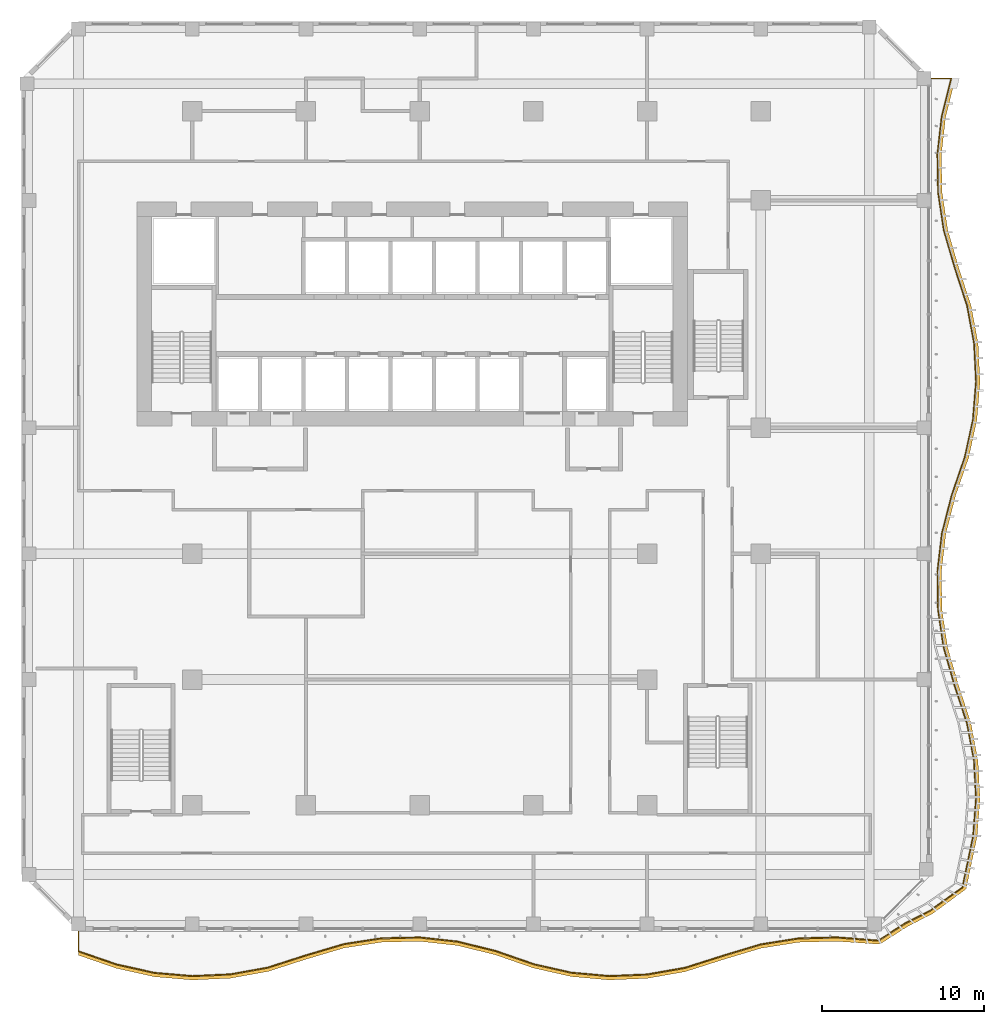
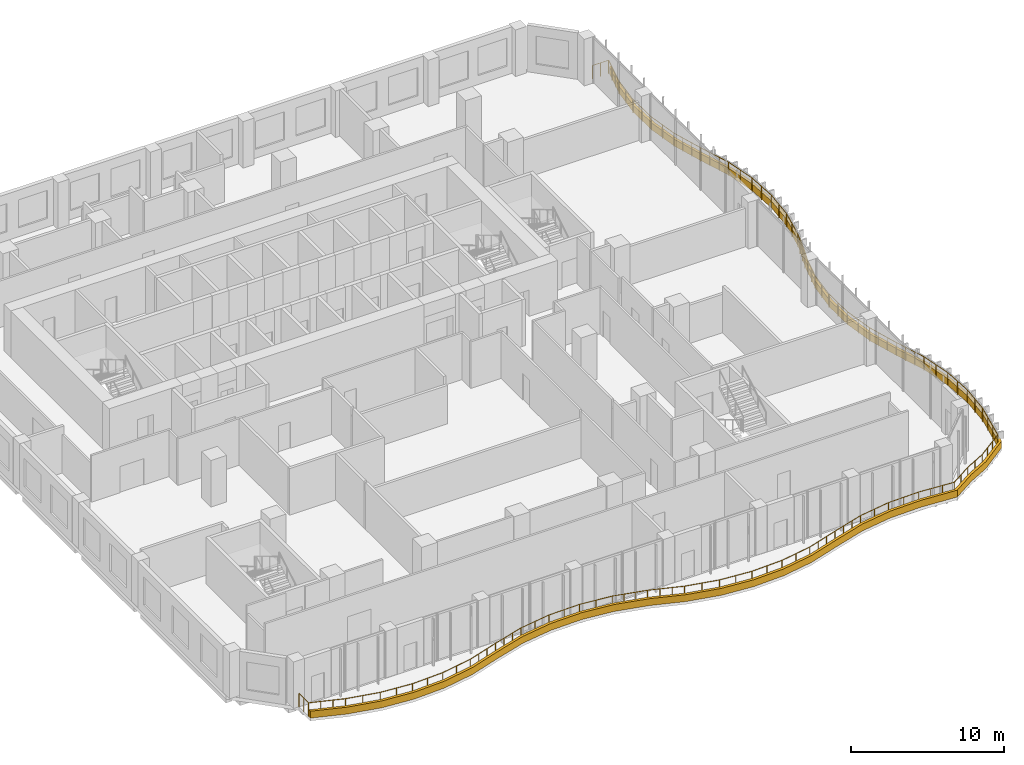
# One storey, part 20 of 26: 1 railing, 1 shading device.
"""IFC4 building model written with IfcOpenShell, lengths in metres."""

from ifc_helpers import new_model, si_unit, direction, frame, origin, origin_2d, place, context, subcontext, project, spatial, polyline, circle, outline, extrude, source, transform, mapped, material, layer, layer_set, type_object, element, save


model = new_model("IFC4")

# Units and contexts
model_context = context("Model", 3, precision=1e-05, world=origin(), true_north=direction((0.0, 1.0)))
body_context = subcontext(model_context, "Body", "Model", "MODEL_VIEW")
ifc_project = project(units=[si_unit("LENGTHUNIT", "METRE"), si_unit("AREAUNIT", "SQUARE_METRE"), si_unit("VOLUMEUNIT", "CUBIC_METRE"), si_unit("PLANEANGLEUNIT", "RADIAN"), si_unit("MASSUNIT", "GRAM", prefix="KILO")], contexts=[model_context])

# Site, building, storey
site_placement = place(None, origin())
site = spatial("IfcSite", under=ifc_project, at=site_placement, CompositionType="ELEMENT")
building_placement = place(site_placement, origin())
building = spatial("IfcBuilding", under=site, at=building_placement, Name="Kilnfold Tower and Market Hall", CompositionType="ELEMENT")
storey_placement = place(building_placement, frame((0.0, 0.0, 104.60009765625)))
storey = spatial("IfcBuildingStorey", under=building, at=storey_placement, Name="L24", CompositionType="ELEMENT", Elevation=104.60009765625)

# Railing
ifc_material_1 = material(Name="Stainless steel and laminated glass", Category="steel")
railing_type = type_object("IfcRailingType", Name="GUARD 1100", PredefinedType="GUARDRAIL", material=ifc_material_1)
railing_placement = place(storey_placement, frame((-19.5, -23.0, 0.0)))
element("IfcRailing", 1, at=railing_placement, inside=storey, type_object=railing_type, Name="Guard balcony L24", PredefinedType="GUARDRAIL", context=body_context, shape_type="SweptSolid", body=[
    extrude(circle(Radius=0.02490234375, at=origin_2d()), frame((0.0, 0.0, 1.0751953125), z_axis=(0.0, -1.0, 0.0), x_axis=(1.0, 0.0, 0.0)), (0.0, 0.0, 1.0), 1.223388671875),
    extrude(circle(Radius=0.02490234375, at=origin_2d()), frame((0.0, -1.223388671875, 1.0751953125), z_axis=(0.945175220701, -0.326563626531, 0.0), x_axis=(0.326563626531, 0.945175220701, 0.0)), (0.0, 0.0, 1.0), 2.468505859375),
    extrude(circle(Radius=0.02490234375, at=origin_2d()), frame((2.333251953125, -2.029541015625, 1.0751953125), z_axis=(0.976316671671, -0.216346381105, 0.0), x_axis=(0.216346381105, 0.976316671671, 0.0)), (0.0, 0.0, 1.0), 2.39013671875),
    extrude(circle(Radius=0.02490234375, at=origin_2d()), frame((4.666748046875, -2.546630859375, 1.0751953125), z_axis=(0.996348169595, -0.085383399696, 0.0), x_axis=(0.085383399696, 0.996348169595, 0.0)), (0.0, 0.0, 1.0), 2.341796875),
    extrude(circle(Radius=0.02490234375, at=origin_2d()), frame((7.0, -2.74658203125, 1.0751953125), z_axis=(0.998956219138, 0.045677918569, 0.0), x_axis=(-0.045677918569, 0.998956219138, 0.0)), (0.0, 0.0, 1.0), 2.335693359375),
    extrude(circle(Radius=0.02490234375, at=origin_2d()), frame((9.333251953125, -2.639892578125, 1.0751953125), z_axis=(0.984280847585, 0.176610342499, 0.0), x_axis=(-0.176610342499, 0.984280847585, 0.0)), (0.0, 0.0, 1.0), 2.370849609375),
    extrude(circle(Radius=0.02490234375, at=origin_2d()), frame((11.666748046875, -2.22119140625, 1.0751953125), z_axis=(0.951822133239, 0.306650659019, 0.0), x_axis=(-0.306650659019, 0.951822133239, 0.0)), (0.0, 0.0, 1.0), 2.451416015625),
    extrude(circle(Radius=0.02490234375, at=origin_2d()), frame((14.0, -1.469482421875, 1.0751953125), z_axis=(0.958871969093, 0.283838945335, 0.0), x_axis=(-0.283838945335, 0.958871969093, 0.0)), (0.0, 0.0, 1.0), 2.433349609375),
    extrude(circle(Radius=0.02490234375, at=origin_2d()), frame((16.333251953125, -0.77880859375, 1.0751953125), z_axis=(0.988254262628, 0.152818560385, 0.0), x_axis=(-0.152818560385, 0.988254262628, 0.0)), (0.0, 0.0, 1.0), 2.361328125),
    extrude(circle(Radius=0.02490234375, at=origin_2d()), frame((18.666748046875, -0.41796875, 1.0751953125), z_axis=(0.999760963806, 0.021863559845, 0.0), x_axis=(-0.021863559845, 0.999760963806, 0.0)), (0.0, 0.0, 1.0), 2.333740234375),
    extrude(circle(Radius=0.02490234375, at=origin_2d()), frame((21.0, -0.366943359375, 1.0751953125), z_axis=(0.994018703781, -0.109209965363, 0.0), x_axis=(0.109209965363, 0.994018703781, 0.0)), (0.0, 0.0, 1.0), 2.347412109375),
    extrude(circle(Radius=0.02490234375, at=origin_2d()), frame((23.333251953125, -0.623291015625, 1.0751953125), z_axis=(0.970748821988, -0.240097323203, 0.0), x_axis=(0.240097323203, 0.970748821988, 0.0)), (0.0, 0.0, 1.0), 2.40380859375),
    extrude(circle(Radius=0.02490234375, at=origin_2d()), frame((25.666748046875, -1.200439453125, 1.0751953125), z_axis=(0.944930811153, -0.327270166885, 0.0), x_axis=(0.327270166885, 0.944930811153, 0.0)), (0.0, 0.0, 1.0), 2.46923828125),
    extrude(circle(Radius=0.02490234375, at=origin_2d()), frame((28.0, -2.008544921875, 1.0751953125), z_axis=(0.97541977644, -0.220354849569, 0.0), x_axis=(0.220354849569, 0.97541977644, 0.0)), (0.0, 0.0, 1.0), 2.39208984375),
    extrude(circle(Radius=0.02490234375, at=origin_2d()), frame((30.333251953125, -2.53564453125, 1.0751953125), z_axis=(0.995995065354, -0.089408219928, 0.0), x_axis=(0.089408219928, 0.995995065354, 0.0)), (0.0, 0.0, 1.0), 2.3427734375),
    extrude(circle(Radius=0.02490234375, at=origin_2d()), frame((32.666748046875, -2.7451171875, 1.0751953125), z_axis=(0.999129627144, 0.041713165348, 0.0), x_axis=(-0.041713165348, 0.999129627144, 0.0)), (0.0, 0.0, 1.0), 2.335205078125),
    extrude(circle(Radius=0.02490234375, at=origin_2d()), frame((35.0, -2.647705078125, 1.0751953125), z_axis=(0.984968716558, 0.172732820859, 0.0), x_axis=(-0.172732820859, 0.984968716558, 0.0)), (0.0, 0.0, 1.0), 2.368896484375),
    extrude(circle(Radius=0.02490234375, at=origin_2d()), frame((37.333251953125, -2.238525390625, 1.0751953125), z_axis=(0.952931017386, 0.303187196471, 0.0), x_axis=(-0.303187196471, 0.952931017386, 0.0)), (0.0, 0.0, 1.0), 2.44873046875),
    extrude(circle(Radius=0.02490234375, at=origin_2d()), frame((39.666748046875, -1.49609375, 1.0751953125), z_axis=(0.957663412718, 0.287890235925, 0.0), x_axis=(-0.287890235925, 0.957663412718, 0.0)), (0.0, 0.0, 1.0), 2.436279296875),
    extrude(circle(Radius=0.02490234375, at=origin_2d()), frame((42.0, -0.794677734375, 1.0751953125), z_axis=(0.98763527449, 0.15676914423, 0.0), x_axis=(-0.15676914423, 0.98763527449, 0.0)), (0.0, 0.0, 1.0), 2.362548828125),
    extrude(circle(Radius=0.02490234375, at=origin_2d()), frame((44.333251953125, -0.42431640625, 1.0751953125), z_axis=(0.999666256818, 0.02583360174, 0.0), x_axis=(-0.02583360174, 0.999666256818, 0.0)), (0.0, 0.0, 1.0), 2.334228515625),
    extrude(circle(Radius=0.02490234375, at=origin_2d()), frame((46.666748046875, -0.364013671875, 1.0751953125), z_axis=(0.996972486943, -0.077755130235, 0.0), x_axis=(0.077755130235, 0.996972486943, 0.0)), (0.0, 0.0, 1.0), 2.57470703125),
    extrude(circle(Radius=0.02490234375, at=origin_2d()), frame((49.233642578125, -0.564208984375, 1.0751953125), z_axis=(0.842172517218, 0.5392081706, 0.0), x_axis=(-0.5392081706, 0.842172517218, 0.0)), (0.0, 0.0, 1.0), 1.928466796875),
    extrude(circle(Radius=0.02490234375, at=origin_2d()), frame((50.857666015625, 0.4755859375, 1.0751953125), z_axis=(0.891167253243, 0.453674913067, 0.0), x_axis=(-0.453674913067, 0.891167253243, 0.0)), (0.0, 0.0, 1.0), 1.73486328125),
    extrude(circle(Radius=0.02490234375, at=origin_2d()), frame((52.40380859375, 1.2626953125, 1.0751953125), z_axis=(0.811775672463, 0.583969397826, 0.0), x_axis=(-0.583969397826, 0.811775672463, 0.0)), (0.0, 0.0, 1.0), 2.474609375),
    extrude(circle(Radius=0.02490234375, at=origin_2d()), frame((54.41259765625, 2.707763671875, 1.0751953125), z_axis=(0.205120350133, 0.978736758256, 0.0), x_axis=(-0.978736758256, 0.205120350133, 0.0)), (0.0, 0.0, 1.0), 3.193359375),
    extrude(circle(Radius=0.02490234375, at=origin_2d()), frame((55.067626953125, 5.833251953125, 1.0751953125), z_axis=(0.077398428524, 0.997000242358, 0.0), x_axis=(-0.997000242358, 0.077398428524, 0.0)), (0.0, 0.0, 1.0), 2.340576171875),
    extrude(circle(Radius=0.02490234375, at=origin_2d()), frame((55.248779296875, 8.166748046875, 1.0751953125), z_axis=(-0.053600767457, 0.998562445583, 0.0), x_axis=(-0.998562445583, -0.053600767457, 0.0)), (0.0, 0.0, 1.0), 2.336669921875),
    extrude(circle(Radius=0.02490234375, at=origin_2d()), frame((55.12353515625, 10.5, 1.0751953125), z_axis=(-0.184592769099, 0.982815094306, 0.0), x_axis=(-0.982815094306, -0.184592769099, 0.0)), (0.0, 0.0, 1.0), 2.3740234375),
    extrude(circle(Radius=0.02490234375, at=origin_2d()), frame((54.685302734375, 12.833251953125, 1.0751953125), z_axis=(-0.312558186473, 0.949898615679, 0.0), x_axis=(-0.949898615679, -0.312558186473, 0.0)), (0.0, 0.0, 1.0), 2.45654296875),
    extrude(circle(Radius=0.02490234375, at=origin_2d()), frame((53.91748046875, 15.166748046875, 1.0751953125), z_axis=(-0.275876590491, 0.96119306428, 0.0), x_axis=(-0.96119306428, -0.275876590491, 0.0)), (0.0, 0.0, 1.0), 2.427490234375),
    extrude(circle(Radius=0.02490234375, at=origin_2d()), frame((53.247802734375, 17.5, 1.0751953125), z_axis=(-0.144942565493, 0.989440070297, 0.0), x_axis=(-0.989440070297, -0.144942565493, 0.0)), (0.0, 0.0, 1.0), 2.358154296875),
    extrude(circle(Radius=0.02490234375, at=origin_2d()), frame((52.906005859375, 19.833251953125, 1.0751953125), z_axis=(-0.013809103763, 0.999904649781, 0.0), x_axis=(-0.999904649781, -0.013809103763, 0.0)), (0.0, 0.0, 1.0), 2.333740234375),
    extrude(circle(Radius=0.02490234375, at=origin_2d()), frame((52.873779296875, 22.166748046875, 1.0751953125), z_axis=(0.117010065984, 0.993130728786, 0.0), x_axis=(-0.993130728786, 0.117010065984, 0.0)), (0.0, 0.0, 1.0), 2.349365234375),
    extrude(circle(Radius=0.02490234375, at=origin_2d()), frame((53.148681640625, 24.5, 1.0751953125), z_axis=(0.248231467122, 0.96870074777, 0.0), x_axis=(-0.96870074777, 0.248231467122, 0.0)), (0.0, 0.0, 1.0), 2.40869140625),
    extrude(circle(Radius=0.02490234375, at=origin_2d()), frame((53.74658203125, 26.833251953125, 1.0751953125), z_axis=(0.325560785009, 0.945521113072, 0.0), x_axis=(-0.945521113072, 0.325560785009, 0.0)), (0.0, 0.0, 1.0), 2.468017578125),
    extrude(circle(Radius=0.02490234375, at=origin_2d()), frame((54.550048828125, 29.166748046875, 1.0751953125), z_axis=(0.212467848118, 0.97716805797, 0.0), x_axis=(-0.97716805797, 0.212467848118, 0.0)), (0.0, 0.0, 1.0), 2.3876953125),
    extrude(circle(Radius=0.02490234375, at=origin_2d()), frame((55.057373046875, 31.5, 1.0751953125), z_axis=(0.081345095449, 0.996685996413, 0.0), x_axis=(-0.996685996413, 0.081345095449, 0.0)), (0.0, 0.0, 1.0), 2.341064453125),
    extrude(circle(Radius=0.02490234375, at=origin_2d()), frame((55.247802734375, 33.833251953125, 1.0751953125), z_axis=(-0.049635333586, 0.998767407187, 0.0), x_axis=(-0.998767407187, -0.049635333586, 0.0)), (0.0, 0.0, 1.0), 2.33642578125),
    extrude(circle(Radius=0.02490234375, at=origin_2d()), frame((55.1318359375, 36.166748046875, 1.0751953125), z_axis=(-0.180614948652, 0.983553882776, 0.0), x_axis=(-0.983553882776, -0.180614948652, 0.0)), (0.0, 0.0, 1.0), 2.372314453125),
    extrude(circle(Radius=0.02490234375, at=origin_2d()), frame((54.703369140625, 38.5, 1.0751953125), z_axis=(-0.309713655114, 0.950829875338, 0.0), x_axis=(-0.950829875338, -0.309713655114, 0.0)), (0.0, 0.0, 1.0), 2.453857421875),
    extrude(circle(Radius=0.02490234375, at=origin_2d()), frame((53.943359375, 40.833251953125, 1.0751953125), z_axis=(-0.279837999342, 0.960047235361, 0.0), x_axis=(-0.960047235361, -0.279837999342, 0.0)), (0.0, 0.0, 1.0), 2.4306640625),
    extrude(circle(Radius=0.02490234375, at=origin_2d()), frame((53.26318359375, 43.166748046875, 1.0751953125), z_axis=(-0.148891927358, 0.988853474468, 0.0), x_axis=(-0.988853474468, -0.148891927358, 0.0)), (0.0, 0.0, 1.0), 2.359619140625),
    extrude(circle(Radius=0.02490234375, at=origin_2d()), frame((52.911865234375, 45.5, 1.0751953125), z_axis=(-0.017889780687, 0.999839965068, 0.0), x_axis=(-0.999839965068, -0.017889780687, 0.0)), (0.0, 0.0, 1.0), 2.333740234375),
    extrude(circle(Radius=0.02490234375, at=origin_2d()), frame((52.8701171875, 47.833251953125, 1.0751953125), z_axis=(0.113203568407, 0.993571815271, 0.0), x_axis=(-0.993571815271, 0.113203568407, 0.0)), (0.0, 0.0, 1.0), 2.3486328125),
    extrude(circle(Radius=0.02490234375, at=origin_2d()), frame((53.135986328125, 50.166748046875, 1.0751953125), z_axis=(0.244134927646, 0.96974127328, 0.0), x_axis=(-0.96974127328, 0.244134927646, 0.0)), (0.0, 0.0, 1.0), 2.406005859375),
    extrude(circle(Radius=0.02490234375, at=origin_2d()), frame((53.723388671875, 52.5, 1.0751953125), z_axis=(-1.0, 0.0, 0.0), x_axis=(0.0, -1.0, 0.0)), (0.0, 0.0, 1.0), 1.223388671875),
    extrude(circle(Radius=0.02490234375, at=origin_2d()), origin(), (0.0, 0.0, 1.0), 1.050048828125),
    extrude(circle(Radius=0.02490234375, at=origin_2d()), frame((0.0, -0.61181640625, 0.0)), (0.0, 0.0, 1.0), 1.050048828125),
    extrude(circle(Radius=0.02490234375, at=origin_2d()), frame((0.0, -1.223388671875, 0.0)), (0.0, 0.0, 1.0), 1.050048828125),
    extrude(circle(Radius=0.02490234375, at=origin_2d()), frame((0.77783203125, -1.4921875, 0.0)), (0.0, 0.0, 1.0), 1.050048828125),
    extrude(circle(Radius=0.02490234375, at=origin_2d()), frame((1.555419921875, -1.7607421875, 0.0)), (0.0, 0.0, 1.0), 1.050048828125),
    extrude(circle(Radius=0.02490234375, at=origin_2d()), frame((2.333251953125, -2.029541015625, 0.0)), (0.0, 0.0, 1.0), 1.050048828125),
    extrude(circle(Radius=0.02490234375, at=origin_2d()), frame((3.5, -2.2880859375, 0.0)), (0.0, 0.0, 1.0), 1.050048828125),
    extrude(circle(Radius=0.02490234375, at=origin_2d()), frame((4.666748046875, -2.546630859375, 0.0)), (0.0, 0.0, 1.0), 1.050048828125),
    extrude(circle(Radius=0.02490234375, at=origin_2d()), frame((5.83349609375, -2.646484375, 0.0)), (0.0, 0.0, 1.0), 1.050048828125),
    extrude(circle(Radius=0.02490234375, at=origin_2d()), frame((7.0, -2.74658203125, 0.0)), (0.0, 0.0, 1.0), 1.050048828125),
    extrude(circle(Radius=0.02490234375, at=origin_2d()), frame((8.16650390625, -2.693359375, 0.0)), (0.0, 0.0, 1.0), 1.050048828125),
    extrude(circle(Radius=0.02490234375, at=origin_2d()), frame((9.333251953125, -2.639892578125, 0.0)), (0.0, 0.0, 1.0), 1.050048828125),
    extrude(circle(Radius=0.02490234375, at=origin_2d()), frame((10.5, -2.4306640625, 0.0)), (0.0, 0.0, 1.0), 1.050048828125),
    extrude(circle(Radius=0.02490234375, at=origin_2d()), frame((11.666748046875, -2.22119140625, 0.0)), (0.0, 0.0, 1.0), 1.050048828125),
    extrude(circle(Radius=0.02490234375, at=origin_2d()), frame((12.444580078125, -1.970703125, 0.0)), (0.0, 0.0, 1.0), 1.050048828125),
    extrude(circle(Radius=0.02490234375, at=origin_2d()), frame((13.22216796875, -1.719970703125, 0.0)), (0.0, 0.0, 1.0), 1.050048828125),
    extrude(circle(Radius=0.02490234375, at=origin_2d()), frame((14.0, -1.469482421875, 0.0)), (0.0, 0.0, 1.0), 1.050048828125),
    extrude(circle(Radius=0.02490234375, at=origin_2d()), frame((14.77783203125, -1.2392578125, 0.0)), (0.0, 0.0, 1.0), 1.050048828125),
    extrude(circle(Radius=0.02490234375, at=origin_2d()), frame((15.555419921875, -1.009033203125, 0.0)), (0.0, 0.0, 1.0), 1.050048828125),
    extrude(circle(Radius=0.02490234375, at=origin_2d()), frame((16.333251953125, -0.77880859375, 0.0)), (0.0, 0.0, 1.0), 1.050048828125),
    extrude(circle(Radius=0.02490234375, at=origin_2d()), frame((17.5, -0.598388671875, 0.0)), (0.0, 0.0, 1.0), 1.050048828125),
    extrude(circle(Radius=0.02490234375, at=origin_2d()), frame((18.666748046875, -0.41796875, 0.0)), (0.0, 0.0, 1.0), 1.050048828125),
    extrude(circle(Radius=0.02490234375, at=origin_2d()), frame((19.83349609375, -0.392578125, 0.0)), (0.0, 0.0, 1.0), 1.050048828125),
    extrude(circle(Radius=0.02490234375, at=origin_2d()), frame((21.0, -0.366943359375, 0.0)), (0.0, 0.0, 1.0), 1.050048828125),
    extrude(circle(Radius=0.02490234375, at=origin_2d()), frame((22.16650390625, -0.4951171875, 0.0)), (0.0, 0.0, 1.0), 1.050048828125),
    extrude(circle(Radius=0.02490234375, at=origin_2d()), frame((23.333251953125, -0.623291015625, 0.0)), (0.0, 0.0, 1.0), 1.050048828125),
    extrude(circle(Radius=0.02490234375, at=origin_2d()), frame((24.111083984375, -0.815673828125, 0.0)), (0.0, 0.0, 1.0), 1.050048828125),
    extrude(circle(Radius=0.02490234375, at=origin_2d()), frame((24.888916015625, -1.008056640625, 0.0)), (0.0, 0.0, 1.0), 1.050048828125),
    extrude(circle(Radius=0.02490234375, at=origin_2d()), frame((25.666748046875, -1.200439453125, 0.0)), (0.0, 0.0, 1.0), 1.050048828125),
    extrude(circle(Radius=0.02490234375, at=origin_2d()), frame((26.444580078125, -1.4697265625, 0.0)), (0.0, 0.0, 1.0), 1.050048828125),
    extrude(circle(Radius=0.02490234375, at=origin_2d()), frame((27.22216796875, -1.7392578125, 0.0)), (0.0, 0.0, 1.0), 1.050048828125),
    extrude(circle(Radius=0.02490234375, at=origin_2d()), frame((28.0, -2.008544921875, 0.0)), (0.0, 0.0, 1.0), 1.050048828125),
    extrude(circle(Radius=0.02490234375, at=origin_2d()), frame((29.16650390625, -2.27197265625, 0.0)), (0.0, 0.0, 1.0), 1.050048828125),
    extrude(circle(Radius=0.02490234375, at=origin_2d()), frame((30.333251953125, -2.53564453125, 0.0)), (0.0, 0.0, 1.0), 1.050048828125),
    extrude(circle(Radius=0.02490234375, at=origin_2d()), frame((31.5, -2.640380859375, 0.0)), (0.0, 0.0, 1.0), 1.050048828125),
    extrude(circle(Radius=0.02490234375, at=origin_2d()), frame((32.666748046875, -2.7451171875, 0.0)), (0.0, 0.0, 1.0), 1.050048828125),
    extrude(circle(Radius=0.02490234375, at=origin_2d()), frame((33.83349609375, -2.6962890625, 0.0)), (0.0, 0.0, 1.0), 1.050048828125),
    extrude(circle(Radius=0.02490234375, at=origin_2d()), frame((35.0, -2.647705078125, 0.0)), (0.0, 0.0, 1.0), 1.050048828125),
    extrude(circle(Radius=0.02490234375, at=origin_2d()), frame((36.16650390625, -2.443115234375, 0.0)), (0.0, 0.0, 1.0), 1.050048828125),
    extrude(circle(Radius=0.02490234375, at=origin_2d()), frame((37.333251953125, -2.238525390625, 0.0)), (0.0, 0.0, 1.0), 1.050048828125),
    extrude(circle(Radius=0.02490234375, at=origin_2d()), frame((38.111083984375, -1.990966796875, 0.0)), (0.0, 0.0, 1.0), 1.050048828125),
    extrude(circle(Radius=0.02490234375, at=origin_2d()), frame((38.888916015625, -1.74365234375, 0.0)), (0.0, 0.0, 1.0), 1.050048828125),
    extrude(circle(Radius=0.02490234375, at=origin_2d()), frame((39.666748046875, -1.49609375, 0.0)), (0.0, 0.0, 1.0), 1.050048828125),
    extrude(circle(Radius=0.02490234375, at=origin_2d()), frame((40.444580078125, -1.26220703125, 0.0)), (0.0, 0.0, 1.0), 1.050048828125),
    extrude(circle(Radius=0.02490234375, at=origin_2d()), frame((41.22216796875, -1.028564453125, 0.0)), (0.0, 0.0, 1.0), 1.050048828125),
    extrude(circle(Radius=0.02490234375, at=origin_2d()), frame((42.0, -0.794677734375, 0.0)), (0.0, 0.0, 1.0), 1.050048828125),
    extrude(circle(Radius=0.02490234375, at=origin_2d()), frame((43.16650390625, -0.609375, 0.0)), (0.0, 0.0, 1.0), 1.050048828125),
    extrude(circle(Radius=0.02490234375, at=origin_2d()), frame((44.333251953125, -0.42431640625, 0.0)), (0.0, 0.0, 1.0), 1.050048828125),
    extrude(circle(Radius=0.02490234375, at=origin_2d()), frame((45.5, -0.39404296875, 0.0)), (0.0, 0.0, 1.0), 1.050048828125),
    extrude(circle(Radius=0.02490234375, at=origin_2d()), frame((46.666748046875, -0.364013671875, 0.0)), (0.0, 0.0, 1.0), 1.050048828125),
    extrude(circle(Radius=0.02490234375, at=origin_2d()), frame((47.5224609375, -0.4306640625, 0.0)), (0.0, 0.0, 1.0), 1.050048828125),
    extrude(circle(Radius=0.02490234375, at=origin_2d()), frame((48.3779296875, -0.49755859375, 0.0)), (0.0, 0.0, 1.0), 1.050048828125),
    extrude(circle(Radius=0.02490234375, at=origin_2d()), frame((49.233642578125, -0.564208984375, 0.0)), (0.0, 0.0, 1.0), 1.050048828125),
    extrude(circle(Radius=0.02490234375, at=origin_2d()), frame((50.045654296875, -0.04443359375, 0.0)), (0.0, 0.0, 1.0), 1.050048828125),
    extrude(circle(Radius=0.02490234375, at=origin_2d()), frame((50.857666015625, 0.4755859375, 0.0)), (0.0, 0.0, 1.0), 1.050048828125),
    extrude(circle(Radius=0.02490234375, at=origin_2d()), frame((51.630859375, 0.869140625, 0.0)), (0.0, 0.0, 1.0), 1.050048828125),
    extrude(circle(Radius=0.02490234375, at=origin_2d()), frame((52.40380859375, 1.2626953125, 0.0)), (0.0, 0.0, 1.0), 1.050048828125),
    extrude(circle(Radius=0.02490234375, at=origin_2d()), frame((53.073486328125, 1.744384765625, 0.0)), (0.0, 0.0, 1.0), 1.050048828125),
    extrude(circle(Radius=0.02490234375, at=origin_2d()), frame((53.742919921875, 2.22607421875, 0.0)), (0.0, 0.0, 1.0), 1.050048828125),
    extrude(circle(Radius=0.02490234375, at=origin_2d()), frame((54.41259765625, 2.707763671875, 0.0)), (0.0, 0.0, 1.0), 1.050048828125),
    extrude(circle(Radius=0.02490234375, at=origin_2d()), frame((54.630859375, 3.74951171875, 0.0)), (0.0, 0.0, 1.0), 1.050048828125),
    extrude(circle(Radius=0.02490234375, at=origin_2d()), frame((54.849365234375, 4.79150390625, 0.0)), (0.0, 0.0, 1.0), 1.050048828125),
    extrude(circle(Radius=0.02490234375, at=origin_2d()), frame((55.067626953125, 5.833251953125, 0.0)), (0.0, 0.0, 1.0), 1.050048828125),
    extrude(circle(Radius=0.02490234375, at=origin_2d()), frame((55.158203125, 7.0, 0.0)), (0.0, 0.0, 1.0), 1.050048828125),
    extrude(circle(Radius=0.02490234375, at=origin_2d()), frame((55.248779296875, 8.166748046875, 0.0)), (0.0, 0.0, 1.0), 1.050048828125),
    extrude(circle(Radius=0.02490234375, at=origin_2d()), frame((55.18603515625, 9.33349609375, 0.0)), (0.0, 0.0, 1.0), 1.050048828125),
    extrude(circle(Radius=0.02490234375, at=origin_2d()), frame((55.12353515625, 10.5, 0.0)), (0.0, 0.0, 1.0), 1.050048828125),
    extrude(circle(Radius=0.02490234375, at=origin_2d()), frame((54.904296875, 11.66650390625, 0.0)), (0.0, 0.0, 1.0), 1.050048828125),
    extrude(circle(Radius=0.02490234375, at=origin_2d()), frame((54.685302734375, 12.833251953125, 0.0)), (0.0, 0.0, 1.0), 1.050048828125),
    extrude(circle(Radius=0.02490234375, at=origin_2d()), frame((54.429443359375, 13.611083984375, 0.0)), (0.0, 0.0, 1.0), 1.050048828125),
    extrude(circle(Radius=0.02490234375, at=origin_2d()), frame((54.17333984375, 14.388916015625, 0.0)), (0.0, 0.0, 1.0), 1.050048828125),
    extrude(circle(Radius=0.02490234375, at=origin_2d()), frame((53.91748046875, 15.166748046875, 0.0)), (0.0, 0.0, 1.0), 1.050048828125),
    extrude(circle(Radius=0.02490234375, at=origin_2d()), frame((53.6943359375, 15.944580078125, 0.0)), (0.0, 0.0, 1.0), 1.050048828125),
    extrude(circle(Radius=0.02490234375, at=origin_2d()), frame((53.470947265625, 16.72216796875, 0.0)), (0.0, 0.0, 1.0), 1.050048828125),
    extrude(circle(Radius=0.02490234375, at=origin_2d()), frame((53.247802734375, 17.5, 0.0)), (0.0, 0.0, 1.0), 1.050048828125),
    extrude(circle(Radius=0.02490234375, at=origin_2d()), frame((53.076904296875, 18.66650390625, 0.0)), (0.0, 0.0, 1.0), 1.050048828125),
    extrude(circle(Radius=0.02490234375, at=origin_2d()), frame((52.906005859375, 19.833251953125, 0.0)), (0.0, 0.0, 1.0), 1.050048828125),
    extrude(circle(Radius=0.02490234375, at=origin_2d()), frame((52.889892578125, 21.0, 0.0)), (0.0, 0.0, 1.0), 1.050048828125),
    extrude(circle(Radius=0.02490234375, at=origin_2d()), frame((52.873779296875, 22.166748046875, 0.0)), (0.0, 0.0, 1.0), 1.050048828125),
    extrude(circle(Radius=0.02490234375, at=origin_2d()), frame((53.01123046875, 23.33349609375, 0.0)), (0.0, 0.0, 1.0), 1.050048828125),
    extrude(circle(Radius=0.02490234375, at=origin_2d()), frame((53.148681640625, 24.5, 0.0)), (0.0, 0.0, 1.0), 1.050048828125),
    extrude(circle(Radius=0.02490234375, at=origin_2d()), frame((53.347900390625, 25.27783203125, 0.0)), (0.0, 0.0, 1.0), 1.050048828125),
    extrude(circle(Radius=0.02490234375, at=origin_2d()), frame((53.54736328125, 26.055419921875, 0.0)), (0.0, 0.0, 1.0), 1.050048828125),
    extrude(circle(Radius=0.02490234375, at=origin_2d()), frame((53.74658203125, 26.833251953125, 0.0)), (0.0, 0.0, 1.0), 1.050048828125),
    extrude(circle(Radius=0.02490234375, at=origin_2d()), frame((54.014404296875, 27.611083984375, 0.0)), (0.0, 0.0, 1.0), 1.050048828125),
    extrude(circle(Radius=0.02490234375, at=origin_2d()), frame((54.2822265625, 28.388916015625, 0.0)), (0.0, 0.0, 1.0), 1.050048828125),
    extrude(circle(Radius=0.02490234375, at=origin_2d()), frame((54.550048828125, 29.166748046875, 0.0)), (0.0, 0.0, 1.0), 1.050048828125),
    extrude(circle(Radius=0.02490234375, at=origin_2d()), frame((54.8037109375, 30.33349609375, 0.0)), (0.0, 0.0, 1.0), 1.050048828125),
    extrude(circle(Radius=0.02490234375, at=origin_2d()), frame((55.057373046875, 31.5, 0.0)), (0.0, 0.0, 1.0), 1.050048828125),
    extrude(circle(Radius=0.02490234375, at=origin_2d()), frame((55.152587890625, 32.66650390625, 0.0)), (0.0, 0.0, 1.0), 1.050048828125),
    extrude(circle(Radius=0.02490234375, at=origin_2d()), frame((55.247802734375, 33.833251953125, 0.0)), (0.0, 0.0, 1.0), 1.050048828125),
    extrude(circle(Radius=0.02490234375, at=origin_2d()), frame((55.18994140625, 35.0, 0.0)), (0.0, 0.0, 1.0), 1.050048828125),
    extrude(circle(Radius=0.02490234375, at=origin_2d()), frame((55.1318359375, 36.166748046875, 0.0)), (0.0, 0.0, 1.0), 1.050048828125),
    extrude(circle(Radius=0.02490234375, at=origin_2d()), frame((54.91748046875, 37.33349609375, 0.0)), (0.0, 0.0, 1.0), 1.050048828125),
    extrude(circle(Radius=0.02490234375, at=origin_2d()), frame((54.703369140625, 38.5, 0.0)), (0.0, 0.0, 1.0), 1.050048828125),
    extrude(circle(Radius=0.02490234375, at=origin_2d()), frame((54.449951171875, 39.27783203125, 0.0)), (0.0, 0.0, 1.0), 1.050048828125),
    extrude(circle(Radius=0.02490234375, at=origin_2d()), frame((54.19677734375, 40.055419921875, 0.0)), (0.0, 0.0, 1.0), 1.050048828125),
    extrude(circle(Radius=0.02490234375, at=origin_2d()), frame((53.943359375, 40.833251953125, 0.0)), (0.0, 0.0, 1.0), 1.050048828125),
    extrude(circle(Radius=0.02490234375, at=origin_2d()), frame((53.716552734375, 41.611083984375, 0.0)), (0.0, 0.0, 1.0), 1.050048828125),
    extrude(circle(Radius=0.02490234375, at=origin_2d()), frame((53.489990234375, 42.388916015625, 0.0)), (0.0, 0.0, 1.0), 1.050048828125),
    extrude(circle(Radius=0.02490234375, at=origin_2d()), frame((53.26318359375, 43.166748046875, 0.0)), (0.0, 0.0, 1.0), 1.050048828125),
    extrude(circle(Radius=0.02490234375, at=origin_2d()), frame((53.08740234375, 44.33349609375, 0.0)), (0.0, 0.0, 1.0), 1.050048828125),
    extrude(circle(Radius=0.02490234375, at=origin_2d()), frame((52.911865234375, 45.5, 0.0)), (0.0, 0.0, 1.0), 1.050048828125),
    extrude(circle(Radius=0.02490234375, at=origin_2d()), frame((52.89111328125, 46.66650390625, 0.0)), (0.0, 0.0, 1.0), 1.050048828125),
    extrude(circle(Radius=0.02490234375, at=origin_2d()), frame((52.8701171875, 47.833251953125, 0.0)), (0.0, 0.0, 1.0), 1.050048828125),
    extrude(circle(Radius=0.02490234375, at=origin_2d()), frame((53.0029296875, 49.0, 0.0)), (0.0, 0.0, 1.0), 1.050048828125),
    extrude(circle(Radius=0.02490234375, at=origin_2d()), frame((53.135986328125, 50.166748046875, 0.0)), (0.0, 0.0, 1.0), 1.050048828125),
    extrude(circle(Radius=0.02490234375, at=origin_2d()), frame((53.331787109375, 50.944580078125, 0.0)), (0.0, 0.0, 1.0), 1.050048828125),
    extrude(circle(Radius=0.02490234375, at=origin_2d()), frame((53.527587890625, 51.72216796875, 0.0)), (0.0, 0.0, 1.0), 1.050048828125),
    extrude(circle(Radius=0.02490234375, at=origin_2d()), frame((53.723388671875, 52.5, 0.0)), (0.0, 0.0, 1.0), 1.050048828125),
    extrude(circle(Radius=0.02490234375, at=origin_2d()), frame((53.11181640625, 52.5, 0.0)), (0.0, 0.0, 1.0), 1.050048828125),
    extrude(circle(Radius=0.02490234375, at=origin_2d()), frame((52.5, 52.5, 0.0)), (0.0, 0.0, 1.0), 1.050048828125),
])

# Shading device
ifc_material_2 = material(Name="Precast concrete C50/60", Category="concrete")
ifc_layer = layer(ifc_material_2, 0.550048828125)
ifc_layer_set = layer_set([ifc_layer], Name="Precast concrete C50/60")
shading_device_type = type_object("IfcShadingDeviceType", Name="BALCONY UPSTAND 550", PredefinedType="USERDEFINED", material=ifc_layer_set)
shared_shape = source(origin(), body_context, "Body", "SweptSolid", [
    extrude(outline(polyline([(-19.5, -24.473388671875), (-17.166748046875, -25.279541015625), (-14.833251953125, -25.796630859375), (-12.5, -25.99658203125), (-10.166748046875, -25.889892578125), (-7.833251953125, -25.47119140625), (-5.5, -24.719482421875), (-3.166748046875, -24.02880859375), (-0.833251953125, -23.66796875), (1.5, -23.616943359375), (3.833251953125, -23.873291015625), (6.166748046875, -24.450439453125), (8.5, -25.258544921875), (10.833251953125, -25.78564453125), (13.166748046875, -25.9951171875), (15.5, -25.897705078125), (17.833251953125, -25.488525390625), (20.166748046875, -24.74609375), (22.5, -24.044677734375), (24.833251953125, -23.67431640625), (27.166748046875, -23.614013671875), (29.829345703125, -23.79541015625), (31.534423828125, -22.701171875), (33.08056640625, -21.9140625), (35.143798828125, -20.387939453125), (35.817626953125, -17.166748046875), (35.998779296875, -14.833251953125), (35.87353515625, -12.5), (35.435302734375, -10.166748046875), (34.66748046875, -7.833251953125), (33.997802734375, -5.5), (33.656005859375, -3.166748046875), (33.623779296875, -0.833251953125), (33.898681640625, 1.5), (34.49658203125, 3.833251953125), (35.300048828125, 6.166748046875), (35.807373046875, 8.5), (35.997802734375, 10.833251953125), (35.8818359375, 13.166748046875), (35.453369140625, 15.5), (34.693359375, 17.833251953125), (34.01318359375, 20.166748046875), (33.661865234375, 22.5), (33.6201171875, 24.833251953125), (33.885986328125, 27.166748046875), (34.473388671875, 29.5), (34.2734375, 29.5), (33.685791015625, 27.166748046875), (33.420166015625, 24.833251953125), (33.4619140625, 22.5), (33.81298828125, 20.166748046875), (34.493408203125, 17.833251953125), (35.25341796875, 15.5), (35.681884765625, 13.166748046875), (35.7978515625, 10.833251953125), (35.607421875, 8.5), (35.10009765625, 6.166748046875), (34.29638671875, 3.833251953125), (33.69873046875, 1.5), (33.423583984375, -0.833251953125), (33.4560546875, -3.166748046875), (33.7978515625, -5.5), (34.467529296875, -7.833251953125), (35.235107421875, -10.166748046875), (35.673583984375, -12.5), (35.798583984375, -14.833251953125), (35.61767578125, -17.166748046875), (34.958984375, -20.3115234375), (32.939208984375, -21.772705078125), (31.39306640625, -22.559814453125), (29.7529296875, -23.610595703125), (27.166748046875, -23.4140625), (24.833251953125, -23.47412109375), (22.5, -23.8447265625), (20.166748046875, -24.546142578125), (17.833251953125, -25.28857421875), (15.5, -25.697509765625), (13.166748046875, -25.794921875), (10.833251953125, -25.585693359375), (8.5, -25.05859375), (6.166748046875, -24.25048828125), (3.833251953125, -23.673095703125), (1.5, -23.4169921875), (-0.833251953125, -23.468017578125), (-3.166748046875, -23.828857421875), (-5.5, -24.51953125), (-7.833251953125, -25.27099609375), (-10.166748046875, -25.68994140625), (-12.5, -25.79638671875), (-14.833251953125, -25.5966796875), (-17.166748046875, -25.07958984375), (-19.5, -24.2734375), (-19.5, -24.473388671875)])), origin(), (0.0, 0.0, 1.0), 0.5498046875),
])
shading_device_placement = place(storey_placement, origin())
element("IfcShadingDevice", 2, at=shading_device_placement, inside=storey, type_object=shading_device_type, Name="Balcony fascia L24", ObjectType="FASCIA", PredefinedType="USERDEFINED", context=body_context, shape_type="MappedRepresentation", body=[
    mapped(shared_shape, transform((0.0, 0.0, 0.0))),
])

save(model, "model.ifc")
